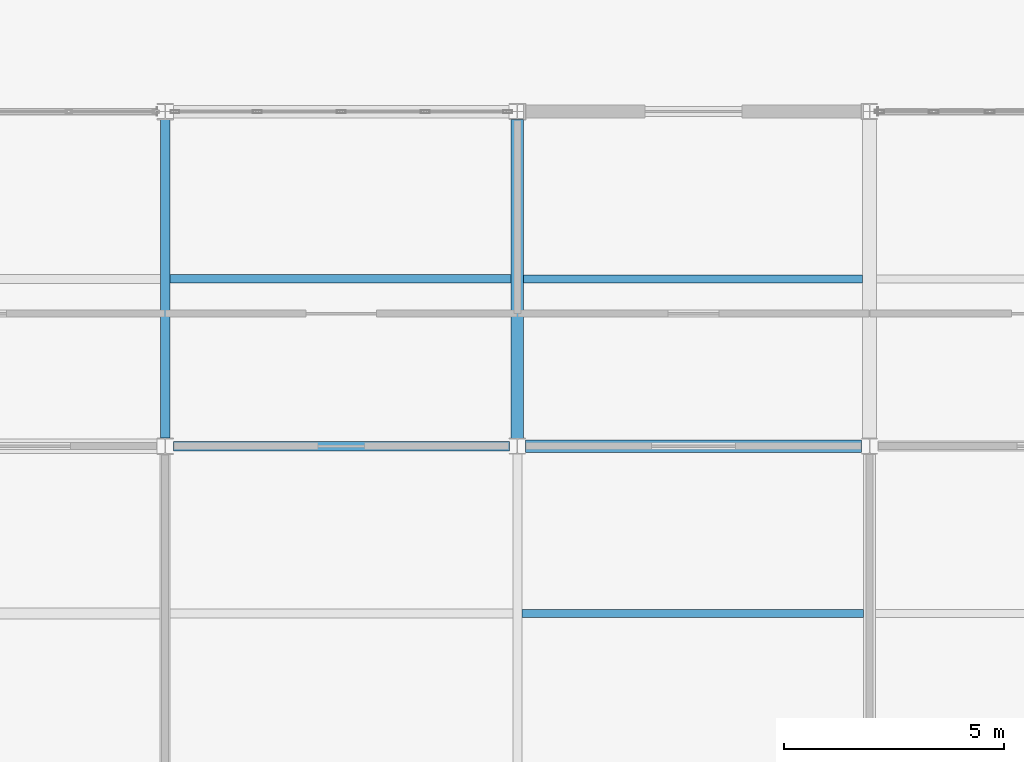
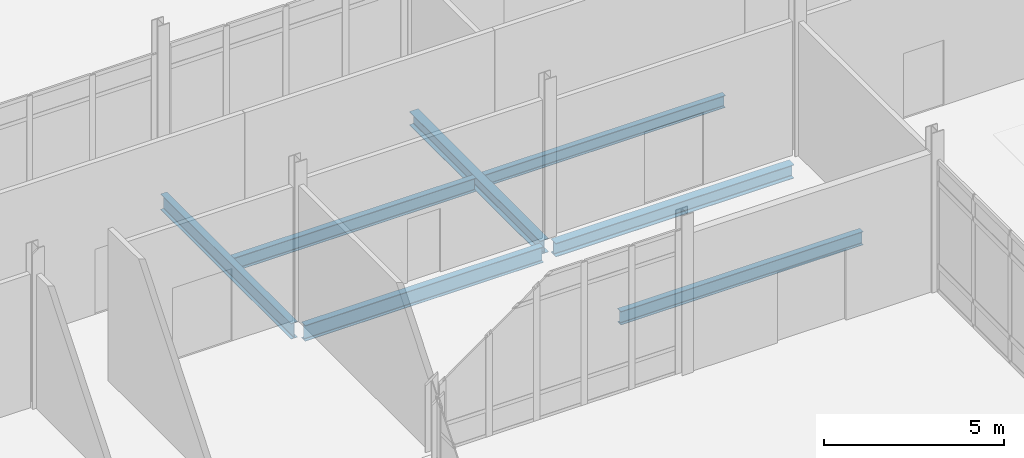
# One storey, part 57 of 229: 7 beams.
"""IFC4 building model written with IfcOpenShell, lengths in metres."""

import ifcopenshell
import ifcopenshell.guid

model = None  # the IFC model being written
_history = None  # IfcOwnerHistory: only IFC2X3 demands one
_inside = {}  # id of a spatial element -> (the spatial element, [elements in it])
_under = {}  # id of a project, library or spatial element -> (it, [spatial elements below it])
_declared = {}  # id of a project -> (the project, [libraries it declares])
_typed = {}  # id of a type object -> (the type object, [elements of that type])
_made_of = {}  # id of a material, layer set ... -> (it, [elements and type objects made of it])


def new_model(schema):
    """Start an empty IFC model of exactly this schema.

    Asked for "IFC4X3", IfcOpenShell would pick the latest addendum, in which some entities
    have other attributes; the version numbers below select the first issue.
    IFC2X3 requires an IfcOwnerHistory on every rooted entity: one is made here for all.
    """
    global model, _history
    if schema == "IFC4X3":
        model = ifcopenshell.file(schema_version=(4, 3, 0, 0))
    else:
        model = ifcopenshell.file(schema=schema)
    _inside.clear()
    _under.clear()
    _declared.clear()
    _typed.clear()
    _made_of.clear()
    _history = None
    if model.schema == "IFC2X3":
        org = make("IfcOrganization", Name="unknown")
        user = make(
            "IfcPersonAndOrganization",
            ThePerson=make("IfcPerson", FamilyName="unknown"),
            TheOrganization=org,
        )
        app = make(
            "IfcApplication",
            ApplicationDeveloper=org,
            Version="unknown",
            ApplicationFullName="unknown",
            ApplicationIdentifier="unknown",
        )
        _history = make(
            "IfcOwnerHistory",
            OwningUser=user,
            OwningApplication=app,
            ChangeAction="ADDED",
            CreationDate=0,
        )
    return model


def make(cls, **values):
    """One entity of the class cls with the attributes given. An attribute that is None is left unset."""
    return model.create_entity(
        cls, **{name: value for name, value in values.items() if value is not None}
    )


def rooted(cls, **values):
    """An entity with a GlobalId (a new one), such as an element, a storey or a relation."""
    return make(cls, GlobalId=ifcopenshell.guid.new(), OwnerHistory=_history, **values)


def si_unit(unit_type, name, prefix=None):
    """IfcSIUnit, for example si_unit("LENGTHUNIT", "METRE", prefix="MILLI")."""
    return make("IfcSIUnit", UnitType=unit_type, Prefix=prefix, Name=name)


def assignment(units):
    """IfcUnitAssignment: the units of a project."""
    return None if units is None else make("IfcUnitAssignment", Units=units)


def point(xyz):
    """IfcCartesianPoint."""
    return None if xyz is None else make("IfcCartesianPoint", Coordinates=xyz)


def direction(xyz):
    """IfcDirection."""
    return None if xyz is None else make("IfcDirection", DirectionRatios=xyz)


def frame(location, z_axis=None, x_axis=None):
    """IfcAxis2Placement3D, a coordinate frame: its origin and axes. An axis left out is left unset."""
    return make(
        "IfcAxis2Placement3D",
        Location=point(location),
        Axis=direction(z_axis),
        RefDirection=direction(x_axis),
    )


def frame_2d(location, x_axis=None):
    """IfcAxis2Placement2D, a coordinate frame in the plane: its origin and x axis."""
    return make(
        "IfcAxis2Placement2D", Location=point(location), RefDirection=direction(x_axis)
    )


def origin():
    """The frame at (0, 0, 0) with its axes left unset."""
    return frame((0.0, 0.0, 0.0))


def origin_2d():
    """The frame at (0, 0) in the plane with its x axis left unset."""
    return frame_2d((0.0, 0.0))


def place(relative_to, where):
    """IfcLocalPlacement: puts the frame where relative to a parent placement (None: the world)."""
    return make(
        "IfcLocalPlacement", PlacementRelTo=relative_to, RelativePlacement=where
    )


def context(
    kind, dimensions, precision=None, world=None, true_north=None, identifier=None
):
    """IfcGeometricRepresentationContext, for example the 3D "Model" context."""
    return make(
        "IfcGeometricRepresentationContext",
        ContextIdentifier=identifier,
        ContextType=kind,
        CoordinateSpaceDimension=dimensions,
        Precision=precision,
        WorldCoordinateSystem=world,
        TrueNorth=true_north,
    )


def subcontext(parent, identifier, kind, view, scale=None):
    """IfcGeometricRepresentationSubContext, for example "Body" below "Model"."""
    return make(
        "IfcGeometricRepresentationSubContext",
        ContextIdentifier=identifier,
        ContextType=kind,
        ParentContext=parent,
        TargetScale=scale,
        TargetView=view,
    )


def project(units=None, contexts=None):
    """IfcProject with its units and contexts."""
    return rooted(
        "IfcProject",
        Name="project",
        RepresentationContexts=contexts,
        UnitsInContext=assignment(units),
    )


def spatial(cls, under=None, at=None, **own):
    """A site, building, storey or space (cls), placed at a placement, below another one or the project."""
    s = rooted(cls, ObjectPlacement=at, **own)
    if under is not None:
        _under.setdefault(under.id(), (under, []))[1].append(s)
    return s


def profile(cls, at=None, kind="AREA", **sizes):
    """A parametric profile (cls). Its sizes go by their IFC names, for example OverallWidth=200.0."""
    return make(cls, ProfileType=kind, Position=at, **sizes)


def i_section(**sizes):
    """IfcIShapeProfileDef."""
    return profile("IfcIShapeProfileDef", **sizes)


def extrude(swept, where, along, depth):
    """IfcExtrudedAreaSolid: the profile swept, set in the frame where, extruded along a direction by depth."""
    return make(
        "IfcExtrudedAreaSolid",
        SweptArea=swept,
        Position=where,
        ExtrudedDirection=direction(along),
        Depth=depth,
    )


def shape(context_of_items, identifier, shape_type, items):
    """IfcShapeRepresentation: the items that make up one representation, for example the "Body"."""
    return make(
        "IfcShapeRepresentation",
        ContextOfItems=context_of_items,
        RepresentationIdentifier=identifier,
        RepresentationType=shape_type,
        Items=items,
    )


def material(Name=None, Category=None):
    """IfcMaterial."""
    return make("IfcMaterial", Name=Name, Category=Category)


def material_profile(
    of_material, cross_section, Name=None, Category=None, Priority=None
):
    """IfcMaterialProfile: a cross section and its material."""
    return make(
        "IfcMaterialProfile",
        Name=Name,
        Material=of_material,
        Profile=cross_section,
        Priority=Priority,
        Category=Category,
    )


def profile_set(profiles, Name=None, composite=None):
    """IfcMaterialProfileSet."""
    return make(
        "IfcMaterialProfileSet",
        Name=Name,
        MaterialProfiles=profiles,
        CompositeProfile=composite,
    )


def made_of(thing, what):
    """Note that an element or type object is made of a material, layer set ...; save() writes the relation."""
    if what is not None:
        _made_of.setdefault(what.id(), (what, []))[1].append(thing)
    return thing


def type_object(cls, material=None, **own):
    """A type object (cls), such as IfcWallType, which elements share."""
    return made_of(rooted(cls, **own), material)


def element(
    cls,
    number,
    at=None,
    inside=None,
    cuts=None,
    type_object=None,
    material=None,
    context=None,
    identifier="Body",
    shape_type=None,
    held_by="IfcProductDefinitionShape",
    body=None,
    shapes=None,
    **own,
):
    """One element of the class cls, such as IfcWall. Its Tag is "e" and its number.

    at: its placement. inside: the storey or other place that contains it. cuts: it is an
    opening in that element (IfcRelVoidsElement). A single representation is given by context,
    identifier, shape_type and body (its items); several are given by shapes. held_by: the class
    of the entity that holds the representations. save() writes the other relations.
    """
    e = rooted(cls, Tag="e%d" % number, ObjectPlacement=at, **own)
    if body is not None:
        shapes = [shape(context, identifier, shape_type, body)]
    if shapes is not None:
        e.Representation = make(held_by, Representations=shapes)
    if inside is not None:
        _inside.setdefault(inside.id(), (inside, []))[1].append(e)
    if cuts is not None:
        rooted(
            "IfcRelVoidsElement", RelatingBuildingElement=cuts, RelatedOpeningElement=e
        )
    if type_object is not None:
        _typed.setdefault(type_object.id(), (type_object, []))[1].append(e)
    return made_of(e, material)


def aggregate(whole, parts):
    """IfcRelAggregates: a whole, such as a stair, and the parts it consists of."""
    return rooted("IfcRelAggregates", RelatingObject=whole, RelatedObjects=parts)


def save(model, path):
    """Write the relations noted so far, then the file.

    IfcRelAggregates (storeys below a building ...), IfcRelContainedInSpatialStructure (elements
    in a storey), IfcRelDefinesByType, IfcRelAssociatesMaterial and IfcRelDeclares: one each for
    every whole, place, type object, material and project.
    """
    for whole, parts in _under.values():
        aggregate(whole, parts)
    for where, things in _inside.values():
        rooted(
            "IfcRelContainedInSpatialStructure",
            RelatedElements=things,
            RelatingStructure=where,
        )
    for kind, things in _typed.values():
        rooted("IfcRelDefinesByType", RelatedObjects=things, RelatingType=kind)
    for what, things in _made_of.values():
        rooted("IfcRelAssociatesMaterial", RelatedObjects=things, RelatingMaterial=what)
    for by, libraries in _declared.values():
        rooted("IfcRelDeclares", RelatingContext=by, RelatedDefinitions=libraries)
    model.write(path)


model = new_model("IFC4")

# Units and contexts
model_context = context("Model", 3, precision=1e-05, world=origin(), true_north=direction((0.0, 1.0)))
body_context = subcontext(model_context, "Body", "Model", "MODEL_VIEW")
ifc_project = project(units=[si_unit("LENGTHUNIT", "METRE"), si_unit("AREAUNIT", "SQUARE_METRE"), si_unit("VOLUMEUNIT", "CUBIC_METRE"), si_unit("PLANEANGLEUNIT", "RADIAN"), si_unit("MASSUNIT", "GRAM", prefix="KILO")], contexts=[model_context])

# Site, building, storey
site_placement = place(None, origin())
site = spatial("IfcSite", under=ifc_project, at=site_placement, CompositionType="ELEMENT")
building_placement = place(site_placement, origin())
building = spatial("IfcBuilding", under=site, at=building_placement, Name="Calvrana Isthmian Art Gallery", CompositionType="ELEMENT")
storey_placement = place(building_placement, origin())
storey = spatial("IfcBuildingStorey", under=building, at=storey_placement, Name="L00", CompositionType="ELEMENT", Elevation=0.0)

# Beams
ifc_material = material(Name="Steel ASTM A992 Gr 50", Category="steel")
ifc_material_profile_1 = material_profile(ifc_material, i_section(OverallWidth=0.279052734375, OverallDepth=0.4619140625, WebThickness=0.0107421875, FlangeThickness=0.017333984375, FilletRadius=0.02001953125, at=origin_2d()), Name="W18X76")
ifc_profile_set_1 = profile_set([ifc_material_profile_1], Name="Steel ASTM A992 Gr 50")
beam_type_1 = type_object("IfcBeamType", Name="BM-G-W18X76", PredefinedType="BEAM", material=ifc_profile_set_1)
beam_1_placement = place(storey_placement, frame((88.583984375, 54.39990234375, -0.51611328125), z_axis=(1.0, 0.0, 0.0), x_axis=(0.0, 1.0, 0.0)))
element("IfcBeam", 1, at=beam_1_placement, inside=storey, type_object=beam_type_1, Name="Girder X L00 12-13/H", PredefinedType="BEAM", context=body_context, shape_type="SweptSolid", body=[
    extrude(i_section(OverallWidth=0.279052734375, OverallDepth=0.4619140625, WebThickness=0.0107421875, FlangeThickness=0.017333984375, FilletRadius=0.02001953125, at=origin_2d()), origin(), (0.0, 0.0, 1.0), 7.62939453125),
])
beam_2_placement = place(storey_placement, frame((88.39990234375, 54.577880859375, -0.51611328125), z_axis=(0.0, 1.0, 0.0), x_axis=(-1.0, 0.0, 0.0)))
element("IfcBeam", 2, at=beam_2_placement, inside=storey, type_object=beam_type_1, Name="Girder Y L00 12/H-I", PredefinedType="BEAM", context=body_context, shape_type="SweptSolid", body=[
    extrude(i_section(OverallWidth=0.279052734375, OverallDepth=0.4619140625, WebThickness=0.0107421875, FlangeThickness=0.017333984375, FilletRadius=0.02001953125, at=origin_2d()), origin(), (0.0, 0.0, 1.0), 7.24072265625),
])
ifc_material_profile_2 = material_profile(ifc_material, i_section(OverallWidth=0.208984375, OverallDepth=0.532958984375, WebThickness=0.01025390625, FlangeThickness=0.015625, FilletRadius=0.02099609375, at=origin_2d()), Name="W21X62")
ifc_profile_set_2 = profile_set([ifc_material_profile_2], Name="Steel ASTM A992 Gr 50")
beam_type_2 = type_object("IfcBeamType", Name="BM-G-W21X62", PredefinedType="BEAM", material=ifc_profile_set_2)
beam_3_placement = place(storey_placement, frame((80.58544921875, 54.39990234375, -0.551513671875), z_axis=(1.0, 0.0, 0.0), x_axis=(0.0, 1.0, 0.0)))
element("IfcBeam", 3, at=beam_3_placement, inside=storey, type_object=beam_type_2, Name="Girder X L00 11-12/H", PredefinedType="BEAM", context=body_context, shape_type="SweptSolid", body=[
    extrude(i_section(OverallWidth=0.208984375, OverallDepth=0.532958984375, WebThickness=0.01025390625, FlangeThickness=0.015625, FilletRadius=0.02099609375, at=origin_2d()), origin(), (0.0, 0.0, 1.0), 7.630615234375),
])
beam_4_placement = place(storey_placement, frame((80.39990234375, 54.58154296875, -0.551513671875), z_axis=(0.0, 1.0, 0.0), x_axis=(-1.0, 0.0, 0.0)))
element("IfcBeam", 4, at=beam_4_placement, inside=storey, type_object=beam_type_2, Name="Girder Y L00 11/H-I", PredefinedType="BEAM", context=body_context, shape_type="SweptSolid", body=[
    extrude(i_section(OverallWidth=0.208984375, OverallDepth=0.532958984375, WebThickness=0.01025390625, FlangeThickness=0.015625, FilletRadius=0.02099609375, at=origin_2d()), origin(), (0.0, 0.0, 1.0), 7.234375),
])
ifc_material_profile_3 = material_profile(ifc_material, i_section(OverallWidth=0.179931640625, OverallDepth=0.4140625, WebThickness=0.009765625, FlangeThickness=0.01611328125, FilletRadius=0.01806640625, at=origin_2d()), Name="W16X50")
ifc_profile_set_3 = profile_set([ifc_material_profile_3], Name="Steel ASTM A992 Gr 50")
beam_type_3 = type_object("IfcBeamType", Name="BM-J-W16X50", PredefinedType="JOIST", material=ifc_profile_set_3)
beam_5_placement = place(storey_placement, frame((88.53955078125, 58.199951171875, -0.491943359375), z_axis=(1.0, 0.0, 0.0), x_axis=(0.0, 1.0, 0.0)))
element("IfcBeam", 5, at=beam_5_placement, inside=storey, type_object=beam_type_3, Name="Composite joist L00 bay 11-07", PredefinedType="JOIST", context=body_context, shape_type="SweptSolid", body=[
    extrude(i_section(OverallWidth=0.179931640625, OverallDepth=0.4140625, WebThickness=0.009765625, FlangeThickness=0.01611328125, FilletRadius=0.01806640625, at=origin_2d()), origin(), (0.0, 0.0, 1.0), 7.697998046875),
])
ifc_material_profile_4 = material_profile(ifc_material, i_section(OverallWidth=0.19091796875, OverallDepth=0.45703125, WebThickness=0.009033203125, FlangeThickness=0.014404296875, FilletRadius=0.02001953125, at=origin_2d()), Name="W18X50")
ifc_profile_set_4 = profile_set([ifc_material_profile_4], Name="Steel ASTM A992 Gr 50")
beam_type_4 = type_object("IfcBeamType", Name="BM-J-W18X50", PredefinedType="JOIST", material=ifc_profile_set_4)
for number, where, z_axis, x_axis, name in (
    (6, (80.50439453125, 58.199951171875, -0.513427734375), (1.0, 0.0, 0.0), (0.0, 1.0, 0.0), "Composite joist L00 bay 10-07"),
    (7, (88.50439453125, 50.60009765625, -0.513427734375), (1.0, 0.0, 0.0), (0.0, 1.0, 0.0), "Composite joist L00 bay 11-06"),
):
    element("IfcBeam", number, at=place(storey_placement, frame(where, z_axis=z_axis, x_axis=x_axis)), inside=storey, type_object=beam_type_4, Name=name, PredefinedType="JOIST", context=body_context, shape_type="SweptSolid", body=[
        extrude(i_section(OverallWidth=0.19091796875, OverallDepth=0.45703125, WebThickness=0.009033203125, FlangeThickness=0.014404296875, FilletRadius=0.02001953125, at=origin_2d()), origin(), (0.0, 0.0, 1.0), 7.756103515625),
    ])

save(model, "model.ifc")
